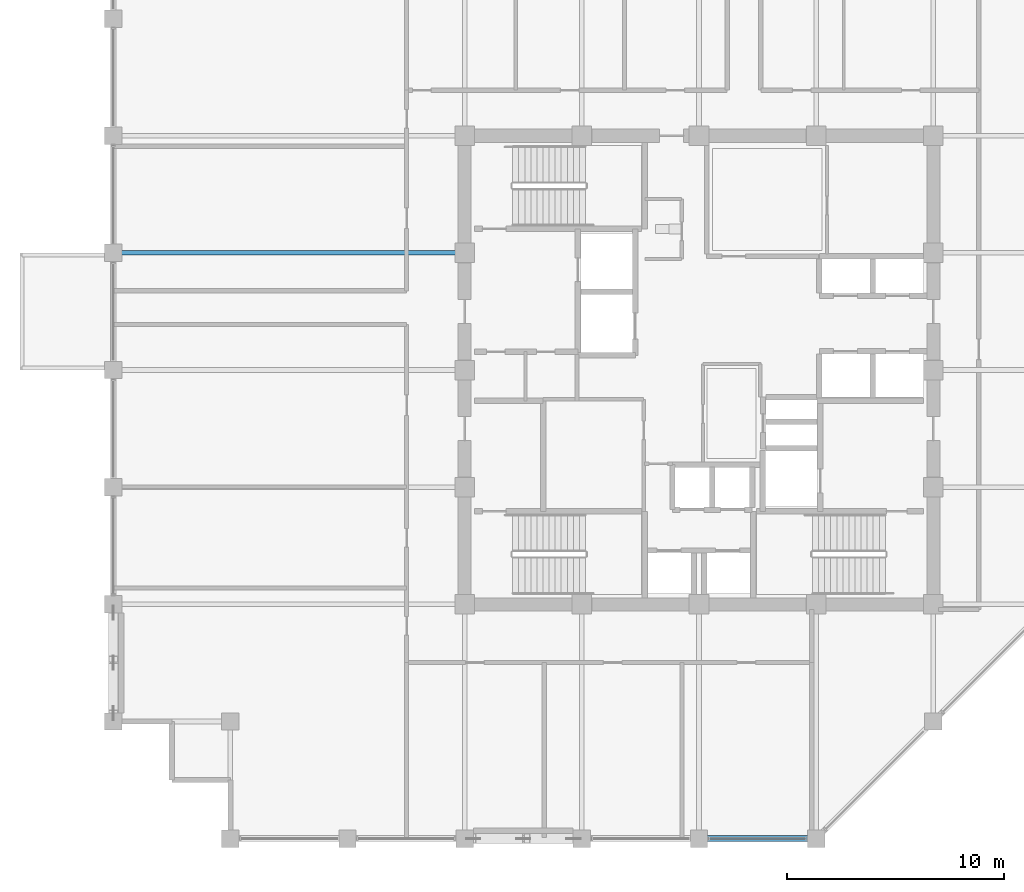
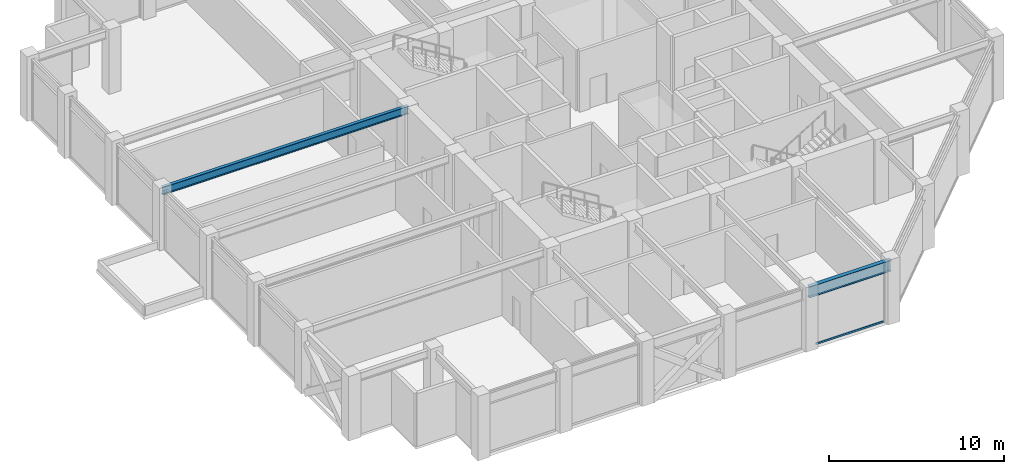
# One storey, part 9 of 28: 2 beams, 1 member, 1 element without a shape of its own.
"""IFC4 building model written with IfcOpenShell, lengths in metres."""

from ifc_helpers import new_model, si_unit, direction, frame, origin, origin_2d, place, context, subcontext, project, spatial, hollow_rectangle, i_section, extrude, material, layer, layer_set, material_profile, profile_set, type_object, element, aggregate, save


model = new_model("IFC4")

# Units and contexts
model_context = context("Model", 3, precision=1e-05, world=origin(), true_north=direction((0.0, 1.0)))
body_context = subcontext(model_context, "Body", "Model", "MODEL_VIEW")
ifc_project = project(units=[si_unit("LENGTHUNIT", "METRE"), si_unit("AREAUNIT", "SQUARE_METRE"), si_unit("VOLUMEUNIT", "CUBIC_METRE"), si_unit("PLANEANGLEUNIT", "RADIAN"), si_unit("MASSUNIT", "GRAM", prefix="KILO")], contexts=[model_context])

# Site, building, storey
site_placement = place(None, origin())
site = spatial("IfcSite", under=ifc_project, at=site_placement, CompositionType="ELEMENT")
building_placement = place(site_placement, origin())
building = spatial("IfcBuilding", under=site, at=building_placement, Name="Surkhivell Harbour Commons", CompositionType="ELEMENT")
storey_placement = place(building_placement, frame((0.0, 0.0, 249.75)))
storey = spatial("IfcBuildingStorey", under=building, at=storey_placement, Name="L65", CompositionType="ELEMENT", Elevation=249.75)

# Beams
ifc_material_1 = material(Name="Steel S355", Category="steel")
ifc_material_profile_1 = material_profile(ifc_material_1, i_section(OverallWidth=0.2119140625, OverallDepth=0.5439453125, WebThickness=0.0126953125, FlangeThickness=0.021240234375, at=origin_2d()), Name="UB533x210x122")
ifc_profile_set_1 = profile_set([ifc_material_profile_1], Name="Steel S355")
beam_type_1 = type_object("IfcBeamType", Name="BM-GRD-533A", PredefinedType="BEAM", material=ifc_profile_set_1)
beam_1_placement = place(storey_placement, frame((-27.0, 5.39990234375, 3.97802734375), z_axis=(1.0, 0.0, 0.0), x_axis=(0.0, 1.0, 0.0)))
element("IfcBeam", 1, at=beam_1_placement, inside=storey, type_object=beam_type_1, Name="L65 Floor Girder (-27.0,5.4)", PredefinedType="BEAM", context=body_context, shape_type="SweptSolid", body=[
    extrude(i_section(OverallWidth=0.2119140625, OverallDepth=0.5439453125, WebThickness=0.0126953125, FlangeThickness=0.021240234375, at=origin_2d()), origin(), (0.0, 0.0, 1.0), 16.199951171875),
])
ifc_material_profile_2 = material_profile(ifc_material_1, i_section(OverallWidth=0.26806640625, OverallDepth=0.77001953125, WebThickness=0.015625, FlangeThickness=0.025390625, at=origin_2d()), Name="UB762x267x197")
ifc_profile_set_2 = profile_set([ifc_material_profile_2], Name="Steel S355")
beam_type_2 = type_object("IfcBeamType", Name="BM-SPN-762", PredefinedType="SPANDREL", material=ifc_profile_set_2)
beam_2_placement = place(storey_placement, frame((0.0, -21.60009765625, 3.864990234375), z_axis=(1.0, 0.0, 0.0), x_axis=(0.0, 1.0, 0.0)))
element("IfcBeam", 2, at=beam_2_placement, inside=storey, type_object=beam_type_2, Name="L65 Tube Spandrel (-0.0,-21.6)", PredefinedType="SPANDREL", context=body_context, shape_type="SweptSolid", body=[
    extrude(i_section(OverallWidth=0.26806640625, OverallDepth=0.77001953125, WebThickness=0.015625, FlangeThickness=0.025390625, at=origin_2d()), origin(), (0.0, 0.0, 1.0), 5.39990234375),
])

# Curtain wall, member
ifc_material_2 = material(Name="Anodised pale-metal aluminium and insulated glazing", Category="aluminium")
ifc_layer = layer(ifc_material_2, 0.18994140625)
ifc_layer_set = layer_set([ifc_layer], Name="Anodised pale-metal aluminium and insulated glazing")
curtain_wall_type = type_object("IfcCurtainWallType", Name="CW-SYS-Z3", PredefinedType="NOTDEFINED", material=ifc_layer_set)
curtain_wall_placement = place(storey_placement, origin())
curtain_wall = element("IfcCurtainWall", 3, at=curtain_wall_placement, inside=storey, type_object=curtain_wall_type, Name="L65 Curtain Wall CW-L65-E00S2", PredefinedType="NOTDEFINED")
ifc_material_3 = material(Name="Champagne anodised aluminium alloy 6063-T6", Category="aluminium")
ifc_material_profile_3 = material_profile(ifc_material_3, hollow_rectangle(XDim=0.070068359375, YDim=0.1298828125, WallThickness=0.00341796875, at=origin_2d()), Name="ALU-TRAN-70x130")
ifc_profile_set_3 = profile_set([ifc_material_profile_3], Name="Champagne anodised aluminium alloy 6063-T6")
member_type = type_object("IfcMemberType", Name="CWT-130", PredefinedType="USERDEFINED", material=ifc_profile_set_3)
member_placement = place(storey_placement, frame((0.47705078125, -21.60009765625, 0.06494140625), z_axis=(1.0, 0.0, 0.0), x_axis=(0.0, 1.0, 0.0)))
member = element("IfcMember", 4, at=member_placement, type_object=member_type, Name="CW-Z3 transom 2.1", ObjectType="TRANSOM", PredefinedType="USERDEFINED", context=body_context, shape_type="SweptSolid", body=[
    extrude(hollow_rectangle(XDim=0.070068359375, YDim=0.1298828125, WallThickness=0.00341796875, at=origin_2d()), origin(), (0.0, 0.0, 1.0), 4.446044921875),
])
aggregate(curtain_wall, [member])

save(model, "model.ifc")
